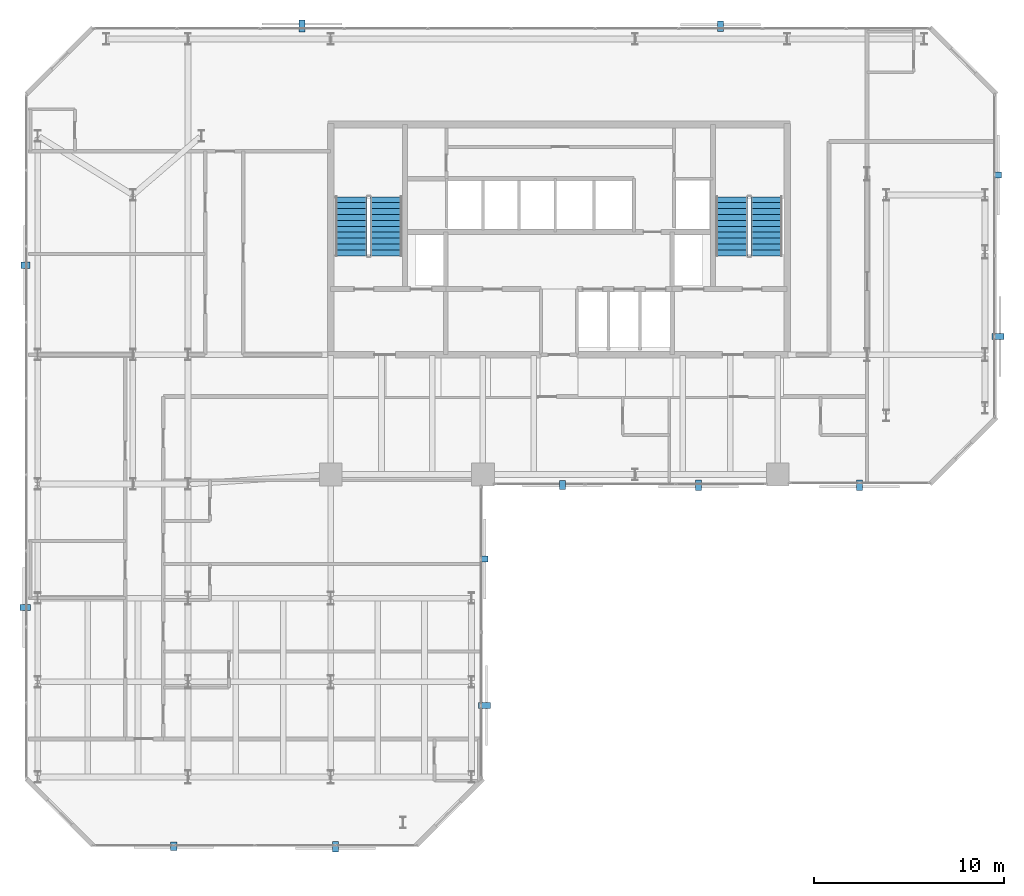
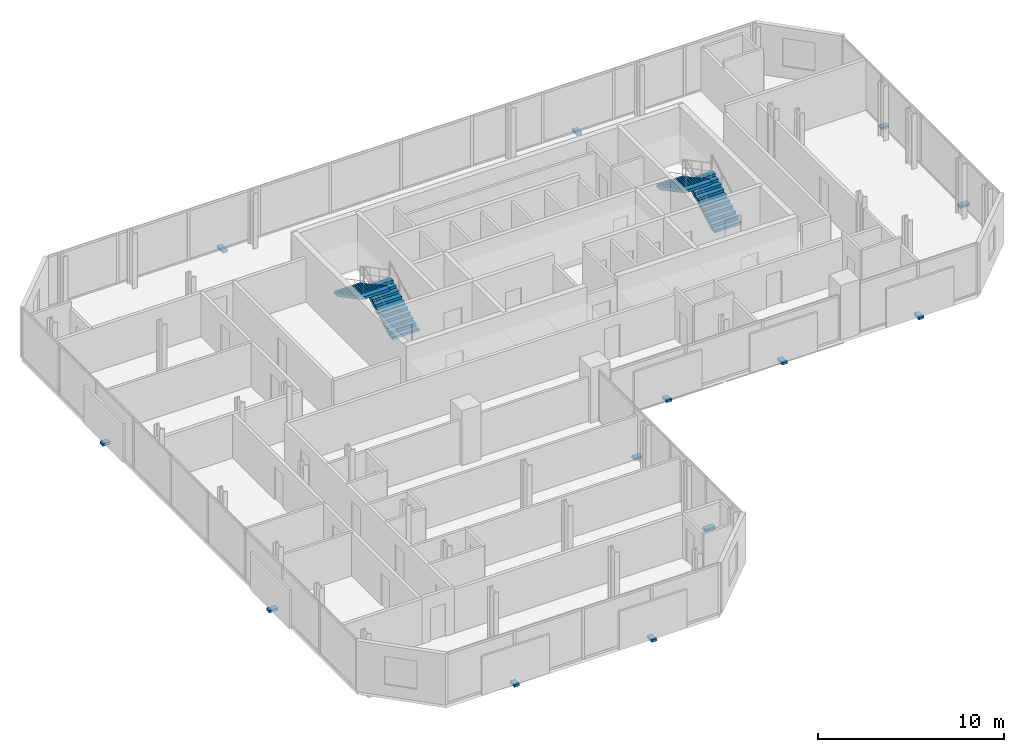
# One storey, part 30 of 32: 13 discrete accessories, 4 stair flights, 2 elements without a shape of their own.
"""IFC4 building model written with IfcOpenShell, lengths in metres."""

from ifc_helpers import new_model, si_unit, direction, frame, origin, origin_2d, place, context, subcontext, project, spatial, polyline, rectangle, outline, extrude, material, type_object, element, aggregate, save


model = new_model("IFC4")

# Units and contexts
model_context = context("Model", 3, precision=1e-05, world=origin(), true_north=direction((0.0, 1.0)))
body_context = subcontext(model_context, "Body", "Model", "MODEL_VIEW")
ifc_project = project(units=[si_unit("LENGTHUNIT", "METRE"), si_unit("AREAUNIT", "SQUARE_METRE"), si_unit("VOLUMEUNIT", "CUBIC_METRE"), si_unit("PLANEANGLEUNIT", "RADIAN"), si_unit("MASSUNIT", "GRAM", prefix="KILO")], contexts=[model_context])

# Site, building, storey
site_placement = place(None, origin())
site = spatial("IfcSite", under=ifc_project, at=site_placement, CompositionType="ELEMENT")
building_placement = place(site_placement, origin())
building = spatial("IfcBuilding", under=site, at=building_placement, Name="Catumbela Crestline Tower", CompositionType="ELEMENT")
storey_placement = place(building_placement, frame((0.0, 0.0, 122.4)))
storey = spatial("IfcBuildingStorey", under=building, at=storey_placement, Name="L31", CompositionType="ELEMENT", Elevation=122.4)

# Stair, stair flights
ifc_material_1 = material(Name="Concrete C45/55", Category="concrete")
stair_type = type_object("IfcStairType", Name="ST-DLG", PredefinedType="HALF_TURN_STAIR", material=ifc_material_1)
stair_1_placement = place(storey_placement, origin())
stair_1 = element("IfcStair", 1, at=stair_1_placement, inside=storey, type_object=stair_type, Name="L31 West Core Pressurised Exit Stair ST-01", PredefinedType="HALF_TURN_STAIR")
stair_flight_type = type_object("IfcStairFlightType", Name="SF-1636", PredefinedType="STRAIGHT", material=ifc_material_1)
stair_flight_1_placement = place(storey_placement, frame((18.92, 36.0, 0.0), z_axis=(0.0, 0.0, 1.0), x_axis=(0.0, 1.0, 0.0)))
stair_flight_1 = element("IfcStairFlight", 2, at=stair_flight_1_placement, type_object=stair_flight_type, Name="ST-01 flight 1", NumberOfRisers=11, NumberOfTreads=10, PredefinedType="STRAIGHT", RiserHeight=0.163636364, TreadLength=0.31, context=body_context, shape_type="SweptSolid", body=[
    extrude(outline(polyline([(0.0, 0.0), (0.0, 0.1636), (0.31, 0.1636), (0.31, 0.3273), (0.62, 0.3273), (0.62, 0.4909), (0.93, 0.4909), (0.93, 0.6545), (1.24, 0.6545), (1.24, 0.8182), (1.55, 0.8182), (1.55, 0.9818), (1.86, 0.9818), (1.86, 1.1455), (2.17, 1.1455), (2.17, 1.3091), (2.48, 1.3091), (2.48, 1.4727), (2.79, 1.4727), (2.79, 1.6364), (3.1, 1.6364), (3.1, 1.8), (3.1, 1.4554), (0.3427, 0.0), (0.0, 0.0)])), frame((0.0, 0.83, 0.0), z_axis=(0.0, -1.0, 0.0), x_axis=(1.0, 0.0, 0.0)), (0.0, 0.0, 1.0), 1.66),
])
stair_flight_2_placement = place(storey_placement, frame((17.08, 39.1, 1.8), z_axis=(0.0, 0.0, 1.0), x_axis=(0.0, -1.0, 0.0)))
stair_flight_2 = element("IfcStairFlight", 3, at=stair_flight_2_placement, type_object=stair_flight_type, Name="ST-01 flight 2", NumberOfRisers=11, NumberOfTreads=10, PredefinedType="STRAIGHT", RiserHeight=0.163636364, TreadLength=0.31, context=body_context, shape_type="SweptSolid", body=[
    extrude(outline(polyline([(0.0, 0.0), (0.0, 0.1636), (0.31, 0.1636), (0.31, 0.3273), (0.62, 0.3273), (0.62, 0.4909), (0.93, 0.4909), (0.93, 0.6545), (1.24, 0.6545), (1.24, 0.8182), (1.55, 0.8182), (1.55, 0.9818), (1.86, 0.9818), (1.86, 1.1455), (2.17, 1.1455), (2.17, 1.3091), (2.48, 1.3091), (2.48, 1.4727), (2.79, 1.4727), (2.79, 1.6364), (3.1, 1.6364), (3.1, 1.8), (3.1, 1.4554), (0.3427, 0.0), (0.0, 0.0)])), frame((0.0, 0.83, 0.0), z_axis=(0.0, -1.0, 0.0), x_axis=(1.0, 0.0, 0.0)), (0.0, 0.0, 1.0), 1.66),
])
aggregate(stair_1, [stair_flight_1, stair_flight_2])

stair_2_placement = place(storey_placement, origin())
stair_2 = element("IfcStair", 4, at=stair_2_placement, inside=storey, type_object=stair_type, Name="L31 East Core Pressurised Exit Stair ST-02", PredefinedType="HALF_TURN_STAIR")
stair_flight_3_placement = place(storey_placement, frame((38.92, 36.0, 0.0), z_axis=(0.0, 0.0, 1.0), x_axis=(0.0, 1.0, 0.0)))
stair_flight_3 = element("IfcStairFlight", 5, at=stair_flight_3_placement, type_object=stair_flight_type, Name="ST-02 flight 1", NumberOfRisers=11, NumberOfTreads=10, PredefinedType="STRAIGHT", RiserHeight=0.163636364, TreadLength=0.31, context=body_context, shape_type="SweptSolid", body=[
    extrude(outline(polyline([(0.0, 0.0), (0.0, 0.1636), (0.31, 0.1636), (0.31, 0.3273), (0.62, 0.3273), (0.62, 0.4909), (0.93, 0.4909), (0.93, 0.6545), (1.24, 0.6545), (1.24, 0.8182), (1.55, 0.8182), (1.55, 0.9818), (1.86, 0.9818), (1.86, 1.1455), (2.17, 1.1455), (2.17, 1.3091), (2.48, 1.3091), (2.48, 1.4727), (2.79, 1.4727), (2.79, 1.6364), (3.1, 1.6364), (3.1, 1.8), (3.1, 1.4554), (0.3427, 0.0), (0.0, 0.0)])), frame((0.0, 0.83, 0.0), z_axis=(0.0, -1.0, 0.0), x_axis=(1.0, 0.0, 0.0)), (0.0, 0.0, 1.0), 1.66),
])
stair_flight_4_placement = place(storey_placement, frame((37.08, 39.1, 1.8), z_axis=(0.0, 0.0, 1.0), x_axis=(0.0, -1.0, 0.0)))
stair_flight_4 = element("IfcStairFlight", 6, at=stair_flight_4_placement, type_object=stair_flight_type, Name="ST-02 flight 2", NumberOfRisers=11, NumberOfTreads=10, PredefinedType="STRAIGHT", RiserHeight=0.163636364, TreadLength=0.31, context=body_context, shape_type="SweptSolid", body=[
    extrude(outline(polyline([(0.0, 0.0), (0.0, 0.1636), (0.31, 0.1636), (0.31, 0.3273), (0.62, 0.3273), (0.62, 0.4909), (0.93, 0.4909), (0.93, 0.6545), (1.24, 0.6545), (1.24, 0.8182), (1.55, 0.8182), (1.55, 0.9818), (1.86, 0.9818), (1.86, 1.1455), (2.17, 1.1455), (2.17, 1.3091), (2.48, 1.3091), (2.48, 1.4727), (2.79, 1.4727), (2.79, 1.6364), (3.1, 1.6364), (3.1, 1.8), (3.1, 1.4554), (0.3427, 0.0), (0.0, 0.0)])), frame((0.0, 0.83, 0.0), z_axis=(0.0, -1.0, 0.0), x_axis=(1.0, 0.0, 0.0)), (0.0, 0.0, 1.0), 1.66),
])
aggregate(stair_2, [stair_flight_3, stair_flight_4])

# Discrete accessories
ifc_material_2 = material(Name="Stainless steel EN 1.4401", Category="steel")
discrete_accessory_type = type_object("IfcDiscreteAccessoryType", Name="BK-SS1", PredefinedType="BRACKET", material=ifc_material_2)
discrete_accessory_1_placement = place(storey_placement, frame((7.75, 4.955, -0.18), z_axis=(0.0, 0.0, 1.0), x_axis=(1.0, 0.0, 0.0)))
element("IfcDiscreteAccessory", 7, at=discrete_accessory_1_placement, inside=storey, type_object=discrete_accessory_type, Name="L31 Solar Screen Stainless Bracket 328", PredefinedType="BRACKET", context=body_context, shape_type="SweptSolid", body=[
    extrude(rectangle(XDim=0.32, YDim=0.46, at=origin_2d()), origin(), (0.0, 0.0, 1.0), 0.16),
])
discrete_accessory_2_placement = place(storey_placement, frame((16.25, 4.935, -0.18), z_axis=(0.0, 0.0, 1.0), x_axis=(1.0, 0.0, 0.0)))
element("IfcDiscreteAccessory", 8, at=discrete_accessory_2_placement, inside=storey, type_object=discrete_accessory_type, Name="L31 Solar Screen Stainless Bracket 329", PredefinedType="BRACKET", context=body_context, shape_type="SweptSolid", body=[
    extrude(rectangle(XDim=0.32, YDim=0.54, at=origin_2d()), origin(), (0.0, 0.0, 1.0), 0.16),
])
discrete_accessory_3_placement = place(storey_placement, frame((24.085, 12.35, -0.18), z_axis=(0.0, 0.0, 1.0), x_axis=(0.0, 1.0, 0.0)))
element("IfcDiscreteAccessory", 9, at=discrete_accessory_3_placement, inside=storey, type_object=discrete_accessory_type, Name="L31 Solar Screen Stainless Bracket 330", PredefinedType="BRACKET", context=body_context, shape_type="SweptSolid", body=[
    extrude(rectangle(XDim=0.32, YDim=0.62, at=origin_2d()), origin(), (0.0, 0.0, 1.0), 0.16),
])
for number, where, z_axis, x_axis, name in (
    (10, (24.045, 20.05, -0.18), (0.0, 0.0, 1.0), (0.0, 1.0, 0.0), "L31 Solar Screen Stainless Bracket 331"),
    (11, (28.175, 23.955, -0.18), (0.0, 0.0, 1.0), (1.0, 0.0, 0.0), "L31 Solar Screen Stainless Bracket 332"),
):
    element("IfcDiscreteAccessory", number, at=place(storey_placement, frame(where, z_axis=z_axis, x_axis=x_axis)), inside=storey, type_object=discrete_accessory_type, Name=name, PredefinedType="BRACKET", context=body_context, shape_type="SweptSolid", body=[
        extrude(rectangle(XDim=0.32, YDim=0.46, at=origin_2d()), origin(), (0.0, 0.0, 1.0), 0.16),
    ])
for number, where, z_axis, x_axis, name in (
    (12, (35.325, 23.935, -0.18), (0.0, 0.0, 1.0), (1.0, 0.0, 0.0), "L31 Solar Screen Stainless Bracket 333"),
    (13, (43.8, 23.935, -0.18), (0.0, 0.0, 1.0), (1.0, 0.0, 0.0), "L31 Solar Screen Stainless Bracket 334"),
):
    element("IfcDiscreteAccessory", number, at=place(storey_placement, frame(where, z_axis=z_axis, x_axis=x_axis)), inside=storey, type_object=discrete_accessory_type, Name=name, PredefinedType="BRACKET", context=body_context, shape_type="SweptSolid", body=[
        extrude(rectangle(XDim=0.32, YDim=0.54, at=origin_2d()), origin(), (0.0, 0.0, 1.0), 0.16),
    ])
discrete_accessory_4_placement = place(storey_placement, frame((51.085, 31.75, -0.18), z_axis=(0.0, 0.0, 1.0), x_axis=(0.0, 1.0, 0.0)))
element("IfcDiscreteAccessory", 14, at=discrete_accessory_4_placement, inside=storey, type_object=discrete_accessory_type, Name="L31 Solar Screen Stainless Bracket 335", PredefinedType="BRACKET", context=body_context, shape_type="SweptSolid", body=[
    extrude(rectangle(XDim=0.32, YDim=0.62, at=origin_2d()), origin(), (0.0, 0.0, 1.0), 0.16),
])
discrete_accessory_5_placement = place(storey_placement, frame((51.045, 40.25, -0.18), z_axis=(0.0, 0.0, 1.0), x_axis=(0.0, 1.0, 0.0)))
element("IfcDiscreteAccessory", 15, at=discrete_accessory_5_placement, inside=storey, type_object=discrete_accessory_type, Name="L31 Solar Screen Stainless Bracket 336", PredefinedType="BRACKET", context=body_context, shape_type="SweptSolid", body=[
    extrude(rectangle(XDim=0.32, YDim=0.46, at=origin_2d()), origin(), (0.0, 0.0, 1.0), 0.16),
])
discrete_accessory_6_placement = place(storey_placement, frame((36.5, 48.065, -0.18), z_axis=(0.0, 0.0, 1.0), x_axis=(-1.0, 0.0, 0.0)))
element("IfcDiscreteAccessory", 16, at=discrete_accessory_6_placement, inside=storey, type_object=discrete_accessory_type, Name="L31 Solar Screen Stainless Bracket 337", PredefinedType="BRACKET", context=body_context, shape_type="SweptSolid", body=[
    extrude(rectangle(XDim=0.32, YDim=0.54, at=origin_2d()), origin(), (0.0, 0.0, 1.0), 0.16),
])
discrete_accessory_7_placement = place(storey_placement, frame((14.5, 48.085, -0.18), z_axis=(0.0, 0.0, 1.0), x_axis=(-1.0, 0.0, 0.0)))
element("IfcDiscreteAccessory", 17, at=discrete_accessory_7_placement, inside=storey, type_object=discrete_accessory_type, Name="L31 Solar Screen Stainless Bracket 338", PredefinedType="BRACKET", context=body_context, shape_type="SweptSolid", body=[
    extrude(rectangle(XDim=0.32, YDim=0.62, at=origin_2d()), origin(), (0.0, 0.0, 1.0), 0.16),
])
discrete_accessory_8_placement = place(storey_placement, frame((-0.045, 35.5, -0.18), z_axis=(0.0, 0.0, 1.0), x_axis=(0.0, -1.0, 0.0)))
element("IfcDiscreteAccessory", 18, at=discrete_accessory_8_placement, inside=storey, type_object=discrete_accessory_type, Name="L31 Solar Screen Stainless Bracket 339", PredefinedType="BRACKET", context=body_context, shape_type="SweptSolid", body=[
    extrude(rectangle(XDim=0.32, YDim=0.46, at=origin_2d()), origin(), (0.0, 0.0, 1.0), 0.16),
])
discrete_accessory_9_placement = place(storey_placement, frame((-0.065, 17.5, -0.18), z_axis=(0.0, 0.0, 1.0), x_axis=(0.0, -1.0, 0.0)))
element("IfcDiscreteAccessory", 19, at=discrete_accessory_9_placement, inside=storey, type_object=discrete_accessory_type, Name="L31 Solar Screen Stainless Bracket 340", PredefinedType="BRACKET", context=body_context, shape_type="SweptSolid", body=[
    extrude(rectangle(XDim=0.32, YDim=0.54, at=origin_2d()), origin(), (0.0, 0.0, 1.0), 0.16),
])

save(model, "model.ifc")
